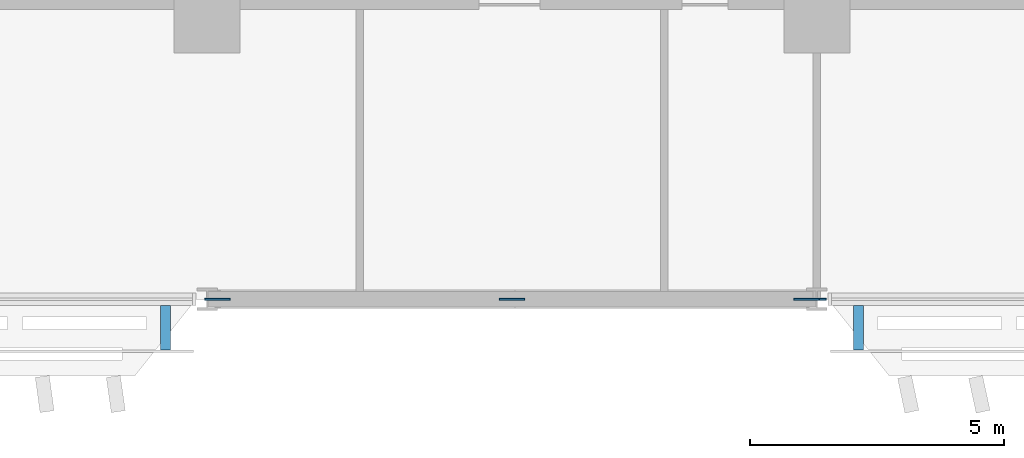
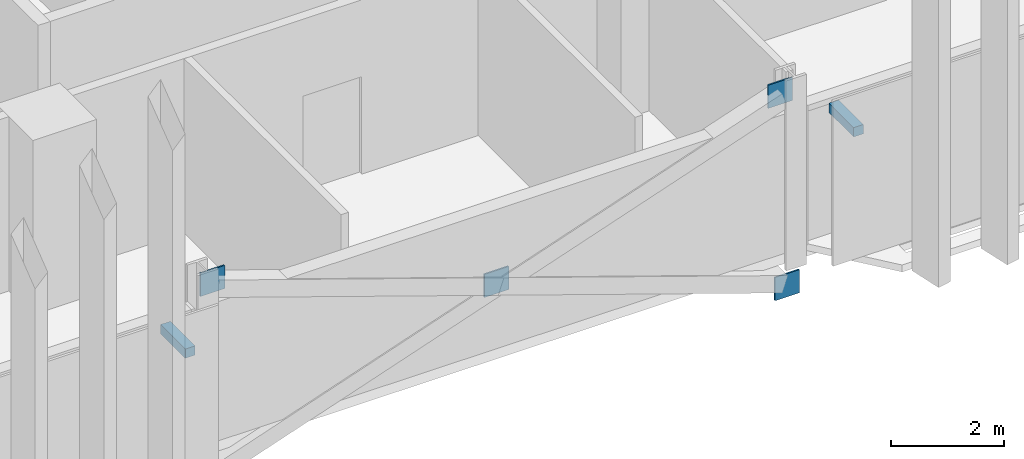
# One storey, part 19 of 33: 6 discrete accessories.
"""IFC4 building model written with IfcOpenShell, lengths in metres."""

from ifc_helpers import new_model, si_unit, direction, frame, origin, origin_2d, place, context, subcontext, project, spatial, rectangle, extrude, material, layer, layer_set, type_object, element, save


model = new_model("IFC4")

# Units and contexts
model_context = context("Model", 3, precision=1e-05, world=origin(), true_north=direction((0.0, 1.0)))
body_context = subcontext(model_context, "Body", "Model", "MODEL_VIEW")
ifc_project = project(units=[si_unit("LENGTHUNIT", "METRE"), si_unit("AREAUNIT", "SQUARE_METRE"), si_unit("VOLUMEUNIT", "CUBIC_METRE"), si_unit("PLANEANGLEUNIT", "RADIAN"), si_unit("MASSUNIT", "GRAM", prefix="KILO")], contexts=[model_context])

# Site, building, storey
site_placement = place(None, origin())
site = spatial("IfcSite", under=ifc_project, at=site_placement, CompositionType="ELEMENT")
building_placement = place(site_placement, origin())
building = spatial("IfcBuilding", under=site, at=building_placement, Name="Mahtab Terrace Research Tower", CompositionType="ELEMENT")
storey_placement = place(building_placement, frame((0.0, 0.0, 122.0)))
storey = spatial("IfcBuildingStorey", under=building, at=storey_placement, Name="L28", CompositionType="ELEMENT", Elevation=122.0)

# Discrete accessories
ifc_material_1 = material(Name="Black anodised aluminium", Category="aluminium")
discrete_accessory_type_1 = type_object("IfcDiscreteAccessoryType", Name="Facade bracket", PredefinedType="BRACKET", material=ifc_material_1)
for number, where, z_axis, x_axis, name in (
    (1, (-6.818115234375, -17.5625, 2.703125), (0.0, 0.0, 1.0), (1.0, 0.0, 0.0), "Screen bracket Girih screen L28 S27"),
    (2, (6.818115234375, -17.5625, 2.703125), (0.0, 0.0, 1.0), (1.0, 0.0, 0.0), "Screen bracket Girih screen L28 S29"),
):
    element("IfcDiscreteAccessory", number, at=place(storey_placement, frame(where, z_axis=z_axis, x_axis=x_axis)), inside=storey, type_object=discrete_accessory_type_1, Name=name, PredefinedType="BRACKET", context=body_context, shape_type="SweptSolid", body=[
        extrude(rectangle(XDim=0.199951171875, YDim=0.875, at=origin_2d()), origin(), (0.0, 0.0, 1.0), 0.199951171875),
    ])
ifc_material_2 = material(Name="Steel ASTM A992 Gr 50", Category="steel")
ifc_layer = layer(ifc_material_2, 0.030029296875)
ifc_layer_set = layer_set([ifc_layer], Name="Gusset plate 500x500x30")
discrete_accessory_type_2 = type_object("IfcDiscreteAccessoryType", Name="Gusset plate 500x500x30", PredefinedType="USERDEFINED", material=ifc_layer_set)
for number, where, z_axis, x_axis, name in (
    (3, (-5.794189453125, -17.0, 3.131591796875), (0.0, 0.0, 1.0), (1.0, 0.0, 0.0), "Gusset plate"),
    (4, (0.0, -17.0, 1.08154296875), (0.0, 0.0, 1.0), (1.0, 0.0, 0.0), "Gusset plate"),
    (5, (5.931396484375, -17.0, -1.065185546875), (0.0, 0.0, 1.0), (1.0, 0.0, 0.0), "Gusset plate"),
    (6, (5.794189453125, -17.0, 3.131591796875), (0.0, 0.0, 1.0), (1.0, 0.0, 0.0), "Gusset plate"),
):
    element("IfcDiscreteAccessory", number, at=place(storey_placement, frame(where, z_axis=z_axis, x_axis=x_axis)), inside=storey, type_object=discrete_accessory_type_2, Name=name, ObjectType="GUSSET PLATE", PredefinedType="USERDEFINED", context=body_context, shape_type="SweptSolid", body=[
        extrude(rectangle(XDim=0.5, YDim=0.030029296875, at=origin_2d()), origin(), (0.0, 0.0, 1.0), 0.5),
    ])

save(model, "model.ifc")
